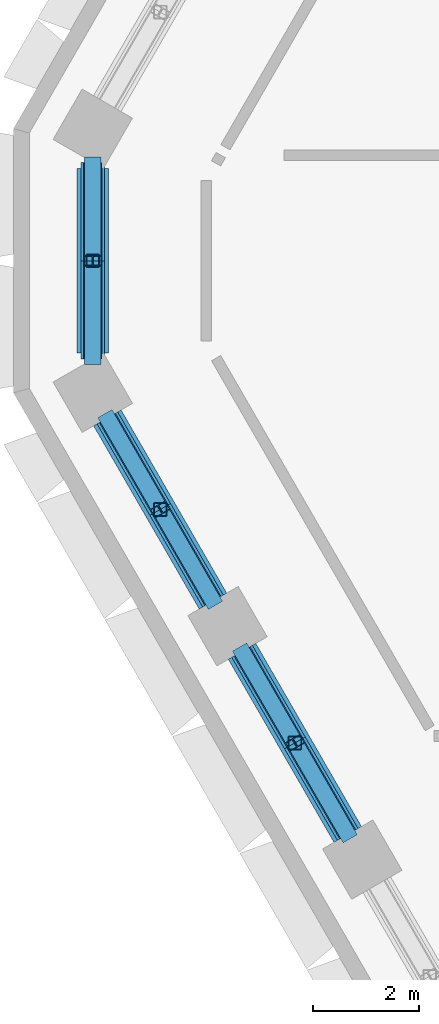
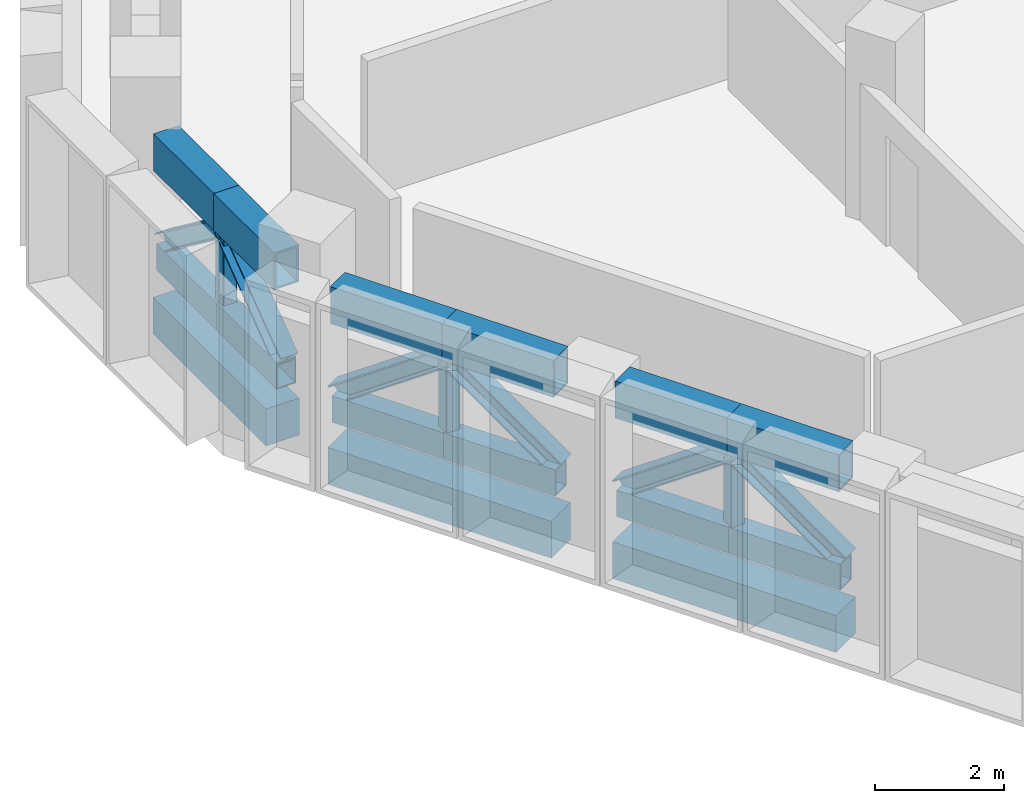
# One storey, part 3 of 22: 21 members, 3 beams.
"""IFC4 building model written with IfcOpenShell, lengths in metres."""

from ifc_helpers import new_model, si_unit, direction, frame, origin, origin_2d, place, context, subcontext, project, spatial, rectangle, hollow_rectangle, i_section, extrude, material, material_profile, profile_set, type_object, element, save


model = new_model("IFC4")

# Units and contexts
model_context = context("Model", 3, precision=1e-05, world=origin(), true_north=direction((0.0, 1.0)))
body_context = subcontext(model_context, "Body", "Model", "MODEL_VIEW")
ifc_project = project(units=[si_unit("LENGTHUNIT", "METRE"), si_unit("AREAUNIT", "SQUARE_METRE"), si_unit("VOLUMEUNIT", "CUBIC_METRE"), si_unit("PLANEANGLEUNIT", "RADIAN"), si_unit("MASSUNIT", "GRAM", prefix="KILO")], contexts=[model_context])

# Site, building, storey
site_placement = place(None, origin())
site = spatial("IfcSite", under=ifc_project, at=site_placement, CompositionType="ELEMENT")
building_placement = place(site_placement, origin())
building = spatial("IfcBuilding", under=site, at=building_placement, Name="Beryl Residences", CompositionType="ELEMENT")
storey_placement = place(building_placement, frame((0.0, 0.0, 62.39990234375)))
storey = spatial("IfcBuildingStorey", under=building, at=storey_placement, Name="L19", CompositionType="ELEMENT", Elevation=62.39990234375)

# Members
ifc_material_1 = material(Name="Steel S355", Category="steel")
ifc_material_profile_1 = material_profile(ifc_material_1, hollow_rectangle(XDim=0.35009765625, YDim=0.5, WallThickness=0.02490234375, at=origin_2d()))
ifc_profile_set_1 = profile_set([ifc_material_profile_1], Name="Steel S355")
member_type_1 = type_object("IfcMemberType", Name="BB1 belt truss bottom chord WB 500x350x25", PredefinedType="CHORD", material=ifc_profile_set_1)
member_1_placement = place(storey_placement, frame((-29.84912109375, 1.864013671875, 0.25), z_axis=(0.0, -1.0, 0.0), x_axis=(1.0, 0.0, 0.0)))
element("IfcMember", 1, at=member_1_placement, inside=storey, type_object=member_type_1, Name="Belt truss BB1-NW-5a L19", PredefinedType="CHORD", context=body_context, shape_type="SweptSolid", body=[
    extrude(hollow_rectangle(XDim=0.35009765625, YDim=0.5, WallThickness=0.02490234375, at=origin_2d()), origin(), (0.0, 0.0, 1.0), 1.864013671875),
])
member_2_placement = place(storey_placement, frame((-29.84912109375, 0.0, 0.25), z_axis=(0.000654535794, -0.999999785791, 0.0), x_axis=(0.999999785791, 0.000654535794, 0.0)))
element("IfcMember", 2, at=member_2_placement, inside=storey, type_object=member_type_1, Name="Belt truss BB1-NW-5b L19", PredefinedType="CHORD", context=body_context, shape_type="SweptSolid", body=[
    extrude(hollow_rectangle(XDim=0.35009765625, YDim=0.5, WallThickness=0.02490234375, at=origin_2d()), origin(), (0.0, 0.0, 1.0), 1.864990234375),
])
member_3_placement = place(storey_placement, frame((-29.572998046875, -2.97607421875, 0.25), z_axis=(0.499968756647, -0.866043441391, 0.0), x_axis=(0.866043441391, 0.499968756647, 0.0)))
element("IfcMember", 3, at=member_3_placement, inside=storey, type_object=member_type_1, Name="Belt truss BB1-SW-0a L19", PredefinedType="CHORD", context=body_context, shape_type="SweptSolid", body=[
    extrude(hollow_rectangle(XDim=0.35009765625, YDim=0.5, WallThickness=0.02490234375, at=origin_2d()), origin(), (0.0, 0.0, 1.0), 2.002197265625),
])
member_4_placement = place(storey_placement, frame((-28.572021484375, -4.7099609375, 0.25), z_axis=(0.499338952924, -0.86640672325, 0.0), x_axis=(0.86640672325, 0.499338952924, 0.0)))
element("IfcMember", 4, at=member_4_placement, inside=storey, type_object=member_type_1, Name="Belt truss BB1-SW-0b L19", PredefinedType="CHORD", context=body_context, shape_type="SweptSolid", body=[
    extrude(hollow_rectangle(XDim=0.35009765625, YDim=0.5, WallThickness=0.02490234375, at=origin_2d()), origin(), (0.0, 0.0, 1.0), 2.002685546875),
])
for number, where, z_axis, x_axis, name in (
    (5, (-27.02197265625, -7.39697265625, 0.25), (0.499915960366, -0.866073918653, 0.0), (0.866073918653, 0.499915960366, 0.0), "Belt truss BB1-SW-1a L19"),
    (6, (-26.02099609375, -9.131103515625, 0.25), (0.499968756647, -0.866043441391, 0.0), (0.866043441391, 0.499968756647, 0.0), "Belt truss BB1-SW-1b L19"),
):
    element("IfcMember", number, at=place(storey_placement, frame(where, z_axis=z_axis, x_axis=x_axis)), inside=storey, type_object=member_type_1, Name=name, PredefinedType="CHORD", context=body_context, shape_type="SweptSolid", body=[
        extrude(hollow_rectangle(XDim=0.35009765625, YDim=0.5, WallThickness=0.02490234375, at=origin_2d()), origin(), (0.0, 0.0, 1.0), 2.002197265625),
    ])
ifc_material_2 = material(Name="Steel S355", Category="steel")
ifc_material_profile_2 = material_profile(ifc_material_2, i_section(OverallWidth=0.31103515625, OverallDepth=0.326904296875, WebThickness=0.015625, FlangeThickness=0.02490234375, FilletRadius=0.0166015625, at=origin_2d()))
ifc_profile_set_2 = profile_set([ifc_material_profile_2], Name="Steel S355")
member_type_2 = type_object("IfcMemberType", Name="BD1 belt truss diagonal 310UC158", PredefinedType="BRACE", material=ifc_profile_set_2)
member_5_placement = place(storey_placement, frame((-29.84912109375, 1.864013671875, 0.5), z_axis=(0.0, -0.799559948535, 0.600586287472), x_axis=(1.0, 0.0, 0.0)))
element("IfcMember", 7, at=member_5_placement, inside=storey, type_object=member_type_2, Name="Belt truss BD1-NW-5a L19", PredefinedType="BRACE", context=body_context, shape_type="SweptSolid", body=[
    extrude(i_section(OverallWidth=0.31103515625, OverallDepth=0.326904296875, WebThickness=0.015625, FlangeThickness=0.02490234375, FilletRadius=0.0166015625, at=origin_2d()), origin(), (0.0, 0.0, 1.0), 2.331298828125),
])
member_6_placement = place(storey_placement, frame((-29.847900390625, -1.864990234375, 0.5), z_axis=(-0.000523439494, 0.799710859042, 0.6003850997), x_axis=(-0.999999785791, -0.000654535794, 0.0)))
element("IfcMember", 8, at=member_6_placement, inside=storey, type_object=member_type_2, Name="Belt truss BD1-NW-5b L19", PredefinedType="BRACE", context=body_context, shape_type="SweptSolid", body=[
    extrude(i_section(OverallWidth=0.31103515625, OverallDepth=0.326904296875, WebThickness=0.015625, FlangeThickness=0.02490234375, FilletRadius=0.0166015625, at=origin_2d()), origin(), (0.0, 0.0, 1.0), 2.33203125),
])
member_7_placement = place(storey_placement, frame((-29.572998046875, -2.97607421875, 0.5), z_axis=(0.409716105686, -0.709708239654, 0.573102894173), x_axis=(0.866043441391, 0.499968756647, 0.0)))
element("IfcMember", 9, at=member_7_placement, inside=storey, type_object=member_type_2, Name="Belt truss BD1-SW-0a L19", PredefinedType="BRACE", context=body_context, shape_type="SweptSolid", body=[
    extrude(i_section(OverallWidth=0.31103515625, OverallDepth=0.326904296875, WebThickness=0.015625, FlangeThickness=0.02490234375, FilletRadius=0.0166015625, at=origin_2d()), origin(), (0.0, 0.0, 1.0), 2.443115234375),
])
member_8_placement = place(storey_placement, frame((-27.572021484375, -6.445068359375, 0.5), z_axis=(-0.409238209188, 0.710072254077, 0.572993439867), x_axis=(-0.86640672325, -0.499338952924, 0.0)))
element("IfcMember", 10, at=member_8_placement, inside=storey, type_object=member_type_2, Name="Belt truss BD1-SW-0b L19", PredefinedType="BRACE", context=body_context, shape_type="SweptSolid", body=[
    extrude(i_section(OverallWidth=0.31103515625, OverallDepth=0.326904296875, WebThickness=0.015625, FlangeThickness=0.02490234375, FilletRadius=0.0166015625, at=origin_2d()), origin(), (0.0, 0.0, 1.0), 2.443603515625),
])
member_9_placement = place(storey_placement, frame((-27.02197265625, -7.39697265625, 0.5), z_axis=(0.409687048976, -0.709757831433, 0.573062250214), x_axis=(0.866073918653, 0.499915960366, 0.0)))
element("IfcMember", 11, at=member_9_placement, inside=storey, type_object=member_type_2, Name="Belt truss BD1-SW-1a L19", PredefinedType="BRACE", context=body_context, shape_type="SweptSolid", body=[
    extrude(i_section(OverallWidth=0.31103515625, OverallDepth=0.326904296875, WebThickness=0.015625, FlangeThickness=0.02490234375, FilletRadius=0.0166015625, at=origin_2d()), origin(), (0.0, 0.0, 1.0), 2.443359375),
])
member_10_placement = place(storey_placement, frame((-25.02001953125, -10.864990234375, 0.5), z_axis=(-0.409716105686, 0.709708239654, 0.573102894173), x_axis=(-0.866043441391, -0.499968756647, 0.0)))
element("IfcMember", 12, at=member_10_placement, inside=storey, type_object=member_type_2, Name="Belt truss BD1-SW-1b L19", PredefinedType="BRACE", context=body_context, shape_type="SweptSolid", body=[
    extrude(i_section(OverallWidth=0.31103515625, OverallDepth=0.326904296875, WebThickness=0.015625, FlangeThickness=0.02490234375, FilletRadius=0.0166015625, at=origin_2d()), origin(), (0.0, 0.0, 1.0), 2.443115234375),
])
ifc_material_3 = material(Name="Steel S355", Category="steel")
ifc_material_profile_3 = material_profile(ifc_material_3, hollow_rectangle(XDim=0.25, YDim=0.25, WallThickness=0.009033203125, InnerFilletRadius=0.009033203125, OuterFilletRadius=0.01806640625, at=origin_2d()))
ifc_profile_set_3 = profile_set([ifc_material_profile_3], Name="Steel S355")
member_type_3 = type_object("IfcMemberType", Name="BQ1 belt truss post SHS 250x250x9", PredefinedType="POST", material=ifc_profile_set_3)
for number, where, z_axis, x_axis, name in (
    (13, (-29.84912109375, 0.0, 0.5), (0.0, 0.0, 1.0), (1.0, 0.0, 0.0), "Belt truss BQ1-NW-5 L19"),
    (14, (-28.572021484375, -4.7099609375, 0.5), (0.0, 0.0, 1.0), (1.0, 0.0, 0.0), "Belt truss BQ1-SW-0 L19"),
    (15, (-26.02099609375, -9.131103515625, 0.5), (0.0, 0.0, 1.0), (1.0, 0.0, 0.0), "Belt truss BQ1-SW-1 L19"),
):
    element("IfcMember", number, at=place(storey_placement, frame(where, z_axis=z_axis, x_axis=x_axis)), inside=storey, type_object=member_type_3, Name=name, PredefinedType="POST", context=body_context, shape_type="SweptSolid", body=[
        extrude(hollow_rectangle(XDim=0.25, YDim=0.25, WallThickness=0.009033203125, InnerFilletRadius=0.009033203125, OuterFilletRadius=0.01806640625, at=origin_2d()), origin(), (0.0, 0.0, 1.0), 1.400146484375),
    ])
ifc_material_4 = material(Name="Steel S355", Category="steel")
ifc_material_profile_4 = material_profile(ifc_material_4, hollow_rectangle(XDim=0.449951171875, YDim=0.699951171875, WallThickness=0.034912109375, at=origin_2d()))
ifc_profile_set_4 = profile_set([ifc_material_profile_4], Name="Steel S355")
member_type_4 = type_object("IfcMemberType", Name="BT1 belt truss top chord WB 700x450x35", PredefinedType="CHORD", material=ifc_profile_set_4)
member_11_placement = place(storey_placement, frame((-29.84912109375, 1.864013671875, 2.25), z_axis=(0.0, -1.0, 0.0), x_axis=(1.0, 0.0, 0.0)))
element("IfcMember", 16, at=member_11_placement, inside=storey, type_object=member_type_4, Name="Belt truss BT1-NW-5a L19", PredefinedType="CHORD", context=body_context, shape_type="SweptSolid", body=[
    extrude(hollow_rectangle(XDim=0.449951171875, YDim=0.699951171875, WallThickness=0.034912109375, at=origin_2d()), origin(), (0.0, 0.0, 1.0), 1.864013671875),
])
member_12_placement = place(storey_placement, frame((-29.84912109375, 0.0, 2.25), z_axis=(0.000654535794, -0.999999785791, 0.0), x_axis=(0.999999785791, 0.000654535794, 0.0)))
element("IfcMember", 17, at=member_12_placement, inside=storey, type_object=member_type_4, Name="Belt truss BT1-NW-5b L19", PredefinedType="CHORD", context=body_context, shape_type="SweptSolid", body=[
    extrude(hollow_rectangle(XDim=0.449951171875, YDim=0.699951171875, WallThickness=0.034912109375, at=origin_2d()), origin(), (0.0, 0.0, 1.0), 1.864990234375),
])
member_13_placement = place(storey_placement, frame((-29.572998046875, -2.97607421875, 2.25), z_axis=(0.499968756647, -0.866043441391, 0.0), x_axis=(0.866043441391, 0.499968756647, 0.0)))
element("IfcMember", 18, at=member_13_placement, inside=storey, type_object=member_type_4, Name="Belt truss BT1-SW-0a L19", PredefinedType="CHORD", context=body_context, shape_type="SweptSolid", body=[
    extrude(hollow_rectangle(XDim=0.449951171875, YDim=0.699951171875, WallThickness=0.034912109375, at=origin_2d()), origin(), (0.0, 0.0, 1.0), 2.002197265625),
])
member_14_placement = place(storey_placement, frame((-28.572021484375, -4.7099609375, 2.25), z_axis=(0.499338952924, -0.86640672325, 0.0), x_axis=(0.86640672325, 0.499338952924, 0.0)))
element("IfcMember", 19, at=member_14_placement, inside=storey, type_object=member_type_4, Name="Belt truss BT1-SW-0b L19", PredefinedType="CHORD", context=body_context, shape_type="SweptSolid", body=[
    extrude(hollow_rectangle(XDim=0.449951171875, YDim=0.699951171875, WallThickness=0.034912109375, at=origin_2d()), origin(), (0.0, 0.0, 1.0), 2.002685546875),
])
for number, where, z_axis, x_axis, name in (
    (20, (-27.02197265625, -7.39697265625, 2.25), (0.499915960366, -0.866073918653, 0.0), (0.866073918653, 0.499915960366, 0.0), "Belt truss BT1-SW-1a L19"),
    (21, (-26.02099609375, -9.131103515625, 2.25), (0.499968756647, -0.866043441391, 0.0), (0.866043441391, 0.499968756647, 0.0), "Belt truss BT1-SW-1b L19"),
):
    element("IfcMember", number, at=place(storey_placement, frame(where, z_axis=z_axis, x_axis=x_axis)), inside=storey, type_object=member_type_4, Name=name, PredefinedType="CHORD", context=body_context, shape_type="SweptSolid", body=[
        extrude(hollow_rectangle(XDim=0.449951171875, YDim=0.699951171875, WallThickness=0.034912109375, at=origin_2d()), origin(), (0.0, 0.0, 1.0), 2.002197265625),
    ])

# Beams
ifc_material_5 = material(Name="Concrete C80/95", Category="concrete")
ifc_material_profile_5 = material_profile(ifc_material_5, rectangle(XDim=0.60009765625, YDim=0.699951171875, at=origin_2d()))
ifc_profile_set_5 = profile_set([ifc_material_profile_5], Name="Concrete C80/95")
beam_type = type_object("IfcBeamType", Name="SB1 spandrel beam 600 x 700 C80/95", PredefinedType="SPANDREL", material=ifc_profile_set_5)
beam_1_placement = place(storey_placement, frame((-29.84912109375, 1.748046875, -0.75), z_axis=(0.000349064486, -0.999999939077, 0.0), x_axis=(0.999999939077, 0.000349064486, 0.0)))
element("IfcBeam", 22, at=beam_1_placement, inside=storey, type_object=beam_type, Name="SB1 L19 NW-5", PredefinedType="SPANDREL", context=body_context, shape_type="SweptSolid", body=[
    extrude(rectangle(XDim=0.60009765625, YDim=0.699951171875, at=origin_2d()), origin(), (0.0, 0.0, 1.0), 3.4970703125),
])
beam_2_placement = place(storey_placement, frame((-29.572998046875, -2.97607421875, -0.75), z_axis=(0.499653843024, -0.866225165388, 0.0), x_axis=(0.866225165388, 0.499653843024, 0.0)))
element("IfcBeam", 23, at=beam_2_placement, inside=storey, type_object=beam_type, Name="SB1 L19 SW-0", PredefinedType="SPANDREL", context=body_context, shape_type="SweptSolid", body=[
    extrude(rectangle(XDim=0.60009765625, YDim=0.699951171875, at=origin_2d()), origin(), (0.0, 0.0, 1.0), 4.004638671875),
])
beam_3_placement = place(storey_placement, frame((-27.02197265625, -7.39697265625, -0.75), z_axis=(0.499942357345, -0.866058681229, 0.0), x_axis=(0.866058681229, 0.499942357345, 0.0)))
element("IfcBeam", 24, at=beam_3_placement, inside=storey, type_object=beam_type, Name="SB1 L19 SW-1", PredefinedType="SPANDREL", context=body_context, shape_type="SweptSolid", body=[
    extrude(rectangle(XDim=0.60009765625, YDim=0.699951171875, at=origin_2d()), origin(), (0.0, 0.0, 1.0), 4.00439453125),
])

save(model, "model.ifc")
